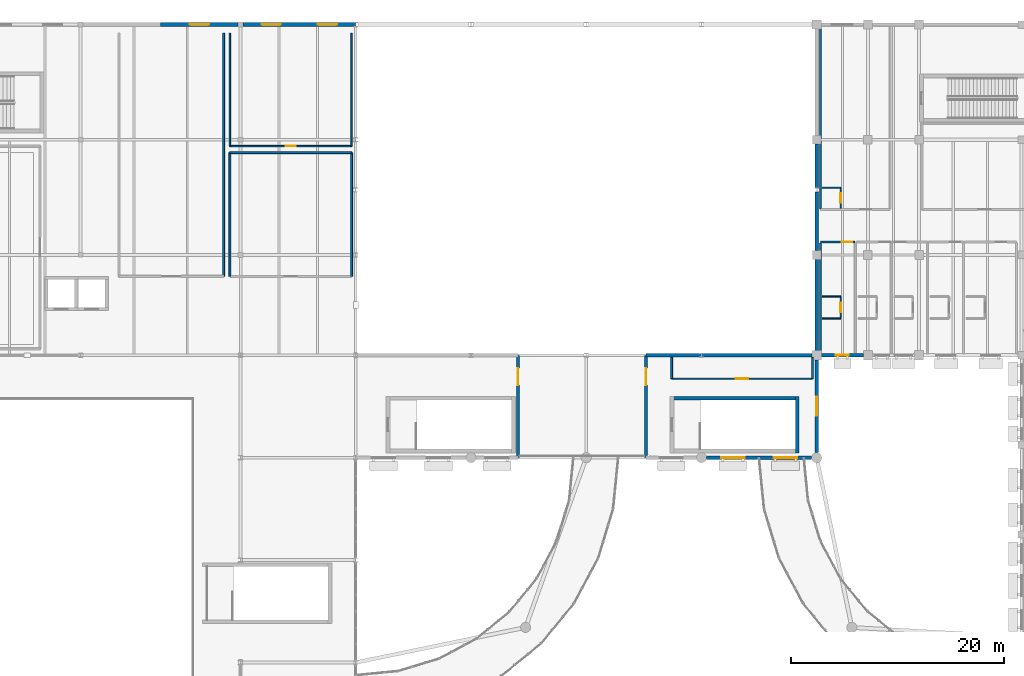
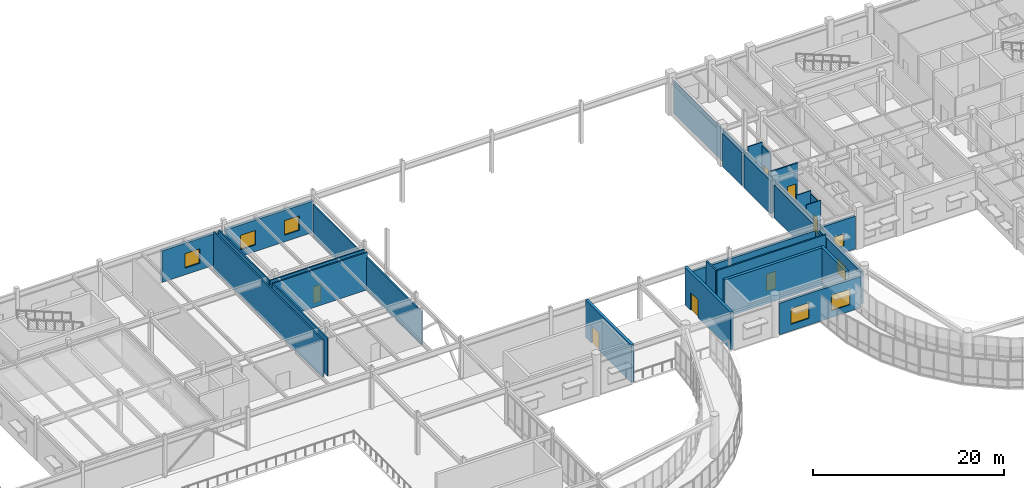
# One storey, part 45 of 68: 32 walls, 7 doors, 7 windows, 14 openings.
"""IFC4 building model written with IfcOpenShell, lengths in metres."""

from ifc_helpers import new_model, si_unit, direction, frame, frame_2d, origin, place, context, subcontext, project, spatial, rectangle, extrude, material, layer, layer_set, type_object, element, fill, save


model = new_model("IFC4")

# Units and contexts
model_context = context("Model", 3, precision=1e-05, world=origin(), true_north=direction((0.0, 1.0)))
body_context = subcontext(model_context, "Body", "Model", "MODEL_VIEW")
ifc_project = project(units=[si_unit("LENGTHUNIT", "METRE"), si_unit("AREAUNIT", "SQUARE_METRE"), si_unit("VOLUMEUNIT", "CUBIC_METRE"), si_unit("PLANEANGLEUNIT", "RADIAN"), si_unit("MASSUNIT", "GRAM", prefix="KILO")], contexts=[model_context])

# Site, building, storey
site_placement = place(None, origin())
site = spatial("IfcSite", under=ifc_project, at=site_placement, CompositionType="ELEMENT")
building_placement = place(site_placement, origin())
building = spatial("IfcBuilding", under=site, at=building_placement, Name="Veldera Park Congress Hotel", CompositionType="ELEMENT")
storey_placement = place(building_placement, frame((0.0, 0.0, 10.800048828125)))
storey = spatial("IfcBuildingStorey", under=building, at=storey_placement, Name="L02", CompositionType="ELEMENT", Elevation=10.800048828125)

# Wall, opening, door
ifc_material_1 = material(Name="Cross-laminated timber CLT V2M1.1", Category="wood")
ifc_layer_1 = layer(ifc_material_1, 0.320068359375)
ifc_layer_set_1 = layer_set([ifc_layer_1], Name="Cross-laminated timber CLT V2M1.1")
wall_type_1 = type_object("IfcWallType", Name="EW-CLT320", PredefinedType="STANDARD", material=ifc_layer_set_1)
wall_1_placement = place(storey_placement, frame((13.60009765625, 17.39990234375, 0.0), z_axis=(0.0, 0.0, 1.0), x_axis=(0.0, 1.0, 0.0)))
wall_1 = element("IfcWall", 1, at=wall_1_placement, inside=storey, type_object=wall_type_1, Name="L02 Exterior Wall EW3-L02-0086", PredefinedType="STANDARD", context=body_context, shape_type="SweptSolid", body=[
    extrude(rectangle(XDim=9.60009765625, YDim=0.320068359375, at=frame_2d((4.800048828125, 0.0))), origin(), (0.0, 0.0, 1.0), 4.800048828125),
])
opening_1_placement = place(wall_1_placement, frame((6.800048828125, 0.0, 0.0)))
opening_1 = element("IfcOpeningElement", 2, at=opening_1_placement, cuts=wall_1, Name="Opening ED-TER160", PredefinedType="OPENING", context=body_context, shape_type="SweptSolid", body=[
    extrude(rectangle(XDim=1.60009765625, YDim=2.25, at=frame_2d((0.800048828125, 1.125))), frame((0.0, 0.172119140625, 0.0), z_axis=(0.0, -1.0, 0.0), x_axis=(1.0, 0.0, 0.0)), (0.0, 0.0, 1.0), 0.343994140625),
])
ifc_material_2 = material(Name="Anodised Aluminium Alloy 6063-T6", Category="aluminium")
door_type_1 = type_object("IfcDoorType", Name="ED-TER160", OperationType="DOUBLE_DOOR_SINGLE_SWING", PredefinedType="DOOR", material=ifc_material_2)
door_1_placement = place(opening_1_placement, frame((1.60009765625, 0.0, 0.0), z_axis=(0.0, 0.0, 1.0), x_axis=(-1.0, 0.0, 0.0)))
door_1 = element("IfcDoor", 3, at=door_1_placement, inside=storey, type_object=door_type_1, Name="Exterior Door TD-L02-01 (DR3-EXT-L02-0016)", OperationType="DOUBLE_DOOR_SINGLE_SWING", OverallHeight=2.25, OverallWidth=1.60009765625, PredefinedType="DOOR", context=body_context, shape_type="SweptSolid", body=[
    extrude(rectangle(XDim=1.60009765625, YDim=2.25, at=frame_2d((0.800048828125, 1.125))), frame((0.0, 0.02490234375, 0.0), z_axis=(0.0, -1.0, 0.0), x_axis=(1.0, 0.0, 0.0)), (0.0, 0.0, 1.0), 0.050048828125),
])
fill(opening_1, door_1)

wall_2_placement = place(storey_placement, frame((25.60009765625, 27.0, 0.0), z_axis=(0.0, 0.0, 1.0), x_axis=(0.0, -1.0, 0.0)))
wall_2 = element("IfcWall", 4, at=wall_2_placement, inside=storey, type_object=wall_type_1, Name="L02 Exterior Wall EW3-L02-0087", PredefinedType="STANDARD", context=body_context, shape_type="SweptSolid", body=[
    extrude(rectangle(XDim=9.60009765625, YDim=0.320068359375, at=frame_2d((4.800048828125, 0.0))), origin(), (0.0, 0.0, 1.0), 4.800048828125),
])
opening_2_placement = place(wall_2_placement, frame((1.199951171875, 0.0, 0.0)))
opening_2 = element("IfcOpeningElement", 5, at=opening_2_placement, cuts=wall_2, Name="Opening ED-TER160", PredefinedType="OPENING", context=body_context, shape_type="SweptSolid", body=[
    extrude(rectangle(XDim=1.60009765625, YDim=2.25, at=frame_2d((0.800048828125, 1.125))), frame((0.0, 0.172119140625, 0.0), z_axis=(0.0, -1.0, 0.0), x_axis=(1.0, 0.0, 0.0)), (0.0, 0.0, 1.0), 0.343994140625),
])
door_2_placement = place(opening_2_placement, frame((1.60009765625, 0.0, 0.0), z_axis=(0.0, 0.0, 1.0), x_axis=(-1.0, 0.0, 0.0)))
door_2 = element("IfcDoor", 6, at=door_2_placement, inside=storey, type_object=door_type_1, Name="Exterior Door TD-L02-02 (DR3-EXT-L02-0017)", OperationType="DOUBLE_DOOR_SINGLE_SWING", OverallHeight=2.25, OverallWidth=1.60009765625, PredefinedType="DOOR", context=body_context, shape_type="SweptSolid", body=[
    extrude(rectangle(XDim=1.60009765625, YDim=2.25, at=frame_2d((0.800048828125, 1.125))), frame((0.0, 0.02490234375, 0.0), z_axis=(0.0, -1.0, 0.0), x_axis=(1.0, 0.0, 0.0)), (0.0, 0.0, 1.0), 0.050048828125),
])
fill(opening_2, door_2)

# Wall, openings, windows
wall_3_placement = place(storey_placement, frame((31.27294921875, 17.39990234375, 0.0), z_axis=(0.0, 0.0, 1.0), x_axis=(1.0, 0.0, 0.0)))
wall_3 = element("IfcWall", 7, at=wall_3_placement, inside=storey, type_object=wall_type_1, Name="L02 Exterior Wall EW3-L02-0089", PredefinedType="STANDARD", context=body_context, shape_type="SweptSolid", body=[
    extrude(rectangle(XDim=9.85400390625, YDim=0.320068359375, at=frame_2d((4.927001953125, 0.0))), origin(), (0.0, 0.0, 1.0), 4.015869140625),
])
opening_3_placement = place(wall_3_placement, frame((1.363525390625, 0.0, 0.85009765625)))
opening_3 = element("IfcOpeningElement", 8, at=opening_3_placement, cuts=wall_3, Name="Opening WIN-2200", PredefinedType="OPENING", context=body_context, shape_type="SweptSolid", body=[
    extrude(rectangle(XDim=2.199951171875, YDim=2.0, at=frame_2d((1.10009765625, 1.0))), frame((0.0, 0.172119140625, 0.0), z_axis=(0.0, -1.0, 0.0), x_axis=(1.0, 0.0, 0.0)), (0.0, 0.0, 1.0), 0.343994140625),
])
opening_4_placement = place(wall_3_placement, frame((6.29052734375, 0.0, 0.85009765625)))
opening_4 = element("IfcOpeningElement", 9, at=opening_4_placement, cuts=wall_3, Name="Opening WIN-2200", PredefinedType="OPENING", context=body_context, shape_type="SweptSolid", body=[
    extrude(rectangle(XDim=2.199951171875, YDim=2.0, at=frame_2d((1.10009765625, 1.0))), frame((0.0, 0.172119140625, 0.0), z_axis=(0.0, -1.0, 0.0), x_axis=(1.0, 0.0, 0.0)), (0.0, 0.0, 1.0), 0.343994140625),
])
ifc_material_3 = material(Name="Low-E Triple Insulating Glass Unit (SHGC 0.22)", Category="glass")
window_type_1 = type_object("IfcWindowType", Name="WIN-2200", PartitioningType="DOUBLE_PANEL_VERTICAL", PredefinedType="WINDOW", material=ifc_material_3)
window_1_placement = place(opening_3_placement, origin())
window_1 = element("IfcWindow", 10, at=window_1_placement, inside=storey, type_object=window_type_1, Name="L02 Window WIN-2200 111", OverallHeight=2.0, OverallWidth=2.199951171875, PartitioningType="DOUBLE_PANEL_VERTICAL", PredefinedType="WINDOW", context=body_context, shape_type="SweptSolid", body=[
    extrude(rectangle(XDim=2.199951171875, YDim=2.0, at=frame_2d((1.10009765625, 1.0))), frame((0.0, 0.030029296875, 0.0), z_axis=(0.0, -1.0, 0.0), x_axis=(1.0, 0.0, 0.0)), (0.0, 0.0, 1.0), 0.06005859375),
])
fill(opening_3, window_1)
window_2_placement = place(opening_4_placement, origin())
window_2 = element("IfcWindow", 11, at=window_2_placement, inside=storey, type_object=window_type_1, Name="L02 Window WIN-2200 112", OverallHeight=2.0, OverallWidth=2.199951171875, PartitioningType="DOUBLE_PANEL_VERTICAL", PredefinedType="WINDOW", context=body_context, shape_type="SweptSolid", body=[
    extrude(rectangle(XDim=2.199951171875, YDim=2.0, at=frame_2d((1.10009765625, 1.0))), frame((0.0, 0.030029296875, 0.0), z_axis=(0.0, -1.0, 0.0), x_axis=(1.0, 0.0, 0.0)), (0.0, 0.0, 1.0), 0.06005859375),
])
fill(opening_4, window_2)

# Wall, opening, window
wall_4_placement = place(storey_placement, frame((41.60009765625, 17.873046875, 0.0), z_axis=(0.0, 0.0, 1.0), x_axis=(0.0, 1.0, 0.0)))
wall_4 = element("IfcWall", 12, at=wall_4_placement, inside=storey, type_object=wall_type_1, Name="L02 Exterior Wall EW3-L02-0090", PredefinedType="STANDARD", context=body_context, shape_type="SweptSolid", body=[
    extrude(rectangle(XDim=8.703857421875, YDim=0.320068359375, at=frame_2d((4.35205078125, 0.0))), origin(), (0.0, 0.0, 1.0), 4.10205078125),
])
opening_5_placement = place(wall_4_placement, frame((3.451904296875, 0.0, 0.85009765625)))
opening_5 = element("IfcOpeningElement", 13, at=opening_5_placement, cuts=wall_4, Name="Opening WIN-1800", PredefinedType="OPENING", context=body_context, shape_type="SweptSolid", body=[
    extrude(rectangle(XDim=1.800048828125, YDim=1.85009765625, at=frame_2d((0.89990234375, 0.925048828125))), frame((0.0, 0.172119140625, 0.0), z_axis=(0.0, -1.0, 0.0), x_axis=(1.0, 0.0, 0.0)), (0.0, 0.0, 1.0), 0.343994140625),
])
window_type_2 = type_object("IfcWindowType", Name="WIN-1800", PartitioningType="SINGLE_PANEL", PredefinedType="WINDOW", material=ifc_material_3)
window_3_placement = place(opening_5_placement, origin())
window_3 = element("IfcWindow", 14, at=window_3_placement, inside=storey, type_object=window_type_2, Name="L02 Window WIN-1800 113", OverallHeight=1.85009765625, OverallWidth=1.800048828125, PartitioningType="SINGLE_PANEL", PredefinedType="WINDOW", context=body_context, shape_type="SweptSolid", body=[
    extrude(rectangle(XDim=1.800048828125, YDim=1.85009765625, at=frame_2d((0.89990234375, 0.925048828125))), frame((0.0, 0.030029296875, 0.0), z_axis=(0.0, -1.0, 0.0), x_axis=(1.0, 0.0, 0.0)), (0.0, 0.0, 1.0), 0.06005859375),
])
fill(opening_5, window_3)

# Walls
wall_5_placement = place(storey_placement, frame((41.177001953125, 27.0, 0.0), z_axis=(0.0, 0.0, 1.0), x_axis=(-1.0, 0.0, 0.0)))
element("IfcWall", 15, at=wall_5_placement, inside=storey, type_object=wall_type_1, Name="L02 Exterior Wall EW3-L02-0093", PredefinedType="STANDARD", context=body_context, shape_type="SweptSolid", body=[
    extrude(rectangle(XDim=10.368408203125, YDim=0.320068359375, at=frame_2d((5.18408203125, 0.0))), origin(), (0.0, 0.0, 1.0), 4.015869140625),
])
wall_6_placement = place(storey_placement, frame((30.79150390625, 27.0, 0.0), z_axis=(0.0, 0.0, 1.0), x_axis=(-1.0, 0.0, 0.0)))
element("IfcWall", 16, at=wall_6_placement, inside=storey, type_object=wall_type_1, Name="L02 Exterior Wall EW3-L02-0094", PredefinedType="STANDARD", context=body_context, shape_type="SweptSolid", body=[
    extrude(rectangle(XDim=5.19140625, YDim=0.320068359375, at=frame_2d((2.595703125, 0.0))), origin(), (0.0, 0.0, 1.0), 4.015869140625),
])
wall_7_placement = place(storey_placement, frame((41.60009765625, 46.802001953125, 0.0), z_axis=(0.0, 0.0, 1.0), x_axis=(0.0, -1.0, 0.0)))
element("IfcWall", 17, at=wall_7_placement, inside=storey, type_object=wall_type_1, Name="L02 Exterior Wall EW3-L02-0192", PredefinedType="STANDARD", context=body_context, shape_type="SweptSolid", body=[
    extrude(rectangle(XDim=4.117919921875, YDim=0.320068359375, at=frame_2d((2.05908203125, 0.0))), origin(), (0.0, 0.0, 1.0), 4.2509765625),
])
wall_8_placement = place(storey_placement, frame((41.60009765625, 42.31591796875, 0.0), z_axis=(0.0, 0.0, 1.0), x_axis=(0.0, -1.0, 0.0)))
element("IfcWall", 18, at=wall_8_placement, inside=storey, type_object=wall_type_1, Name="L02 Exterior Wall EW3-L02-0193", PredefinedType="STANDARD", context=body_context, shape_type="SweptSolid", body=[
    extrude(rectangle(XDim=5.517822265625, YDim=0.320068359375, at=frame_2d((2.7587890625, 0.0))), origin(), (0.0, 0.0, 1.0), 4.2509765625),
])
wall_9_placement = place(storey_placement, frame((41.60009765625, 36.001953125, 0.0), z_axis=(0.0, 0.0, 1.0), x_axis=(0.0, -1.0, 0.0)))
element("IfcWall", 19, at=wall_9_placement, inside=storey, type_object=wall_type_1, Name="L02 Exterior Wall EW3-L02-0194", PredefinedType="STANDARD", context=body_context, shape_type="SweptSolid", body=[
    extrude(rectangle(XDim=8.578857421875, YDim=0.320068359375, at=frame_2d((4.28955078125, 0.0))), origin(), (0.0, 0.0, 1.0), 4.177978515625),
])

# Wall, opening, window
wall_10_placement = place(storey_placement, frame((42.02294921875, 27.0, 0.0), z_axis=(0.0, 0.0, 1.0), x_axis=(1.0, 0.0, 0.0)))
wall_10 = element("IfcWall", 20, at=wall_10_placement, inside=storey, type_object=wall_type_1, Name="L02 Exterior Wall EW3-L02-0195", PredefinedType="STANDARD", context=body_context, shape_type="SweptSolid", body=[
    extrude(rectangle(XDim=3.9541015625, YDim=0.320068359375, at=frame_2d((1.97705078125, 0.0))), origin(), (0.0, 0.0, 1.0), 4.182861328125),
])
opening_6_placement = place(wall_10_placement, frame((1.376953125, 0.0, 0.85009765625)))
opening_6 = element("IfcOpeningElement", 21, at=opening_6_placement, cuts=wall_10, Name="Opening WIN-1200", PredefinedType="OPENING", context=body_context, shape_type="SweptSolid", body=[
    extrude(rectangle(XDim=1.199951171875, YDim=1.550048828125, at=frame_2d((0.60009765625, 0.77490234375))), frame((0.0, 0.172119140625, 0.0), z_axis=(0.0, -1.0, 0.0), x_axis=(1.0, 0.0, 0.0)), (0.0, 0.0, 1.0), 0.343994140625),
])
window_type_3 = type_object("IfcWindowType", Name="WIN-1200", PartitioningType="SINGLE_PANEL", PredefinedType="WINDOW", material=ifc_material_3)
window_4_placement = place(opening_6_placement, origin())
window_4 = element("IfcWindow", 22, at=window_4_placement, inside=storey, type_object=window_type_3, Name="L02 Window WIN-1200 184", OverallHeight=1.550048828125, OverallWidth=1.199951171875, PartitioningType="SINGLE_PANEL", PredefinedType="WINDOW", context=body_context, shape_type="SweptSolid", body=[
    extrude(rectangle(XDim=1.199951171875, YDim=1.550048828125, at=frame_2d((0.60009765625, 0.77490234375))), frame((0.0, 0.030029296875, 0.0), z_axis=(0.0, -1.0, 0.0), x_axis=(1.0, 0.0, 0.0)), (0.0, 0.0, 1.0), 0.06005859375),
])
fill(opening_6, window_4)

# Wall, openings, windows
ifc_material_4 = material(Name="Architectural Sandstone Cladding (ASTM C616)", Category="masonry")
ifc_layer_2 = layer(ifc_material_4, 0.360107421875)
ifc_layer_set_2 = layer_set([ifc_layer_2], Name="Architectural Sandstone Cladding (ASTM C616)")
wall_type_2 = type_object("IfcWallType", Name="EW-STONE360", PredefinedType="STANDARD", material=ifc_layer_set_2)
wall_11_placement = place(storey_placement, frame((-1.609375, 58.0, 0.0), z_axis=(0.0, 0.0, 1.0), x_axis=(-1.0, 0.0, 0.0)))
wall_11 = element("IfcWall", 23, at=wall_11_placement, inside=storey, type_object=wall_type_2, Name="L02 Exterior Wall EW3-L02-0079", PredefinedType="STANDARD", context=body_context, shape_type="SweptSolid", body=[
    extrude(rectangle(XDim=10.567626953125, YDim=0.360107421875, at=frame_2d((5.28369140625, 0.0))), origin(), (0.0, 0.0, 1.0), 4.015869140625),
])
opening_7_placement = place(wall_11_placement, frame((1.741943359375, 0.0, 0.85009765625)))
opening_7 = element("IfcOpeningElement", 24, at=opening_7_placement, cuts=wall_11, Name="Opening WIN-1800", PredefinedType="OPENING", context=body_context, shape_type="SweptSolid", body=[
    extrude(rectangle(XDim=1.800048828125, YDim=1.85009765625, at=frame_2d((0.89990234375, 0.925048828125))), frame((0.0, 0.192138671875, 0.0), z_axis=(0.0, -1.0, 0.0), x_axis=(1.0, 0.0, 0.0)), (0.0, 0.0, 1.0), 0.384033203125),
])
opening_8_placement = place(wall_11_placement, frame((7.02587890625, 0.0, 0.85009765625)))
opening_8 = element("IfcOpeningElement", 25, at=opening_8_placement, cuts=wall_11, Name="Opening WIN-1800", PredefinedType="OPENING", context=body_context, shape_type="SweptSolid", body=[
    extrude(rectangle(XDim=1.800048828125, YDim=1.85009765625, at=frame_2d((0.89990234375, 0.925048828125))), frame((0.0, 0.192138671875, 0.0), z_axis=(0.0, -1.0, 0.0), x_axis=(1.0, 0.0, 0.0)), (0.0, 0.0, 1.0), 0.384033203125),
])
window_5_placement = place(opening_7_placement, origin())
window_5 = element("IfcWindow", 26, at=window_5_placement, inside=storey, type_object=window_type_2, Name="L02 Window WIN-1800 100", OverallHeight=1.85009765625, OverallWidth=1.800048828125, PartitioningType="SINGLE_PANEL", PredefinedType="WINDOW", context=body_context, shape_type="SweptSolid", body=[
    extrude(rectangle(XDim=1.800048828125, YDim=1.85009765625, at=frame_2d((0.89990234375, 0.925048828125))), frame((0.0, 0.030029296875, 0.0), z_axis=(0.0, -1.0, 0.0), x_axis=(1.0, 0.0, 0.0)), (0.0, 0.0, 1.0), 0.06005859375),
])
fill(opening_7, window_5)
window_6_placement = place(opening_8_placement, origin())
window_6 = element("IfcWindow", 27, at=window_6_placement, inside=storey, type_object=window_type_2, Name="L02 Window WIN-1800 101", OverallHeight=1.85009765625, OverallWidth=1.800048828125, PartitioningType="SINGLE_PANEL", PredefinedType="WINDOW", context=body_context, shape_type="SweptSolid", body=[
    extrude(rectangle(XDim=1.800048828125, YDim=1.85009765625, at=frame_2d((0.89990234375, 0.925048828125))), frame((0.0, 0.030029296875, 0.0), z_axis=(0.0, -1.0, 0.0), x_axis=(1.0, 0.0, 0.0)), (0.0, 0.0, 1.0), 0.06005859375),
])
fill(opening_8, window_6)

# Wall, opening, window
wall_12_placement = place(storey_placement, frame((-12.623046875, 58.0, 0.0), z_axis=(0.0, 0.0, 1.0), x_axis=(-1.0, 0.0, 0.0)))
wall_12 = element("IfcWall", 28, at=wall_12_placement, inside=storey, type_object=wall_type_2, Name="L02 Exterior Wall EW3-L02-0080", PredefinedType="STANDARD", context=body_context, shape_type="SweptSolid", body=[
    extrude(rectangle(XDim=7.279052734375, YDim=0.360107421875, at=frame_2d((3.6396484375, 0.0))), origin(), (0.0, 0.0, 1.0), 4.015869140625),
])
opening_9_placement = place(wall_12_placement, frame((2.739501953125, 0.0, 0.85009765625)))
opening_9 = element("IfcOpeningElement", 29, at=opening_9_placement, cuts=wall_12, Name="Opening WIN-1800", PredefinedType="OPENING", context=body_context, shape_type="SweptSolid", body=[
    extrude(rectangle(XDim=1.800048828125, YDim=1.85009765625, at=frame_2d((0.89990234375, 0.925048828125))), frame((0.0, 0.192138671875, 0.0), z_axis=(0.0, -1.0, 0.0), x_axis=(1.0, 0.0, 0.0)), (0.0, 0.0, 1.0), 0.384033203125),
])
window_7_placement = place(opening_9_placement, origin())
window_7 = element("IfcWindow", 30, at=window_7_placement, inside=storey, type_object=window_type_2, Name="L02 Window WIN-1800 102", OverallHeight=1.85009765625, OverallWidth=1.800048828125, PartitioningType="SINGLE_PANEL", PredefinedType="WINDOW", context=body_context, shape_type="SweptSolid", body=[
    extrude(rectangle(XDim=1.800048828125, YDim=1.85009765625, at=frame_2d((0.89990234375, 0.925048828125))), frame((0.0, 0.030029296875, 0.0), z_axis=(0.0, -1.0, 0.0), x_axis=(1.0, 0.0, 0.0)), (0.0, 0.0, 1.0), 0.06005859375),
])
fill(opening_9, window_7)

# Wall
ifc_material_5 = material(Name="Fire-Rated Gypsum Board on Cold-Formed Steel Studs", Category="steel")
ifc_layer_3 = layer(ifc_material_5, 0.1201171875)
ifc_layer_set_3 = layer_set([ifc_layer_3], Name="Fire-Rated Gypsum Board on Cold-Formed Steel Studs")
wall_type_3 = type_object("IfcWallType", Name="IW-BATH120", PredefinedType="PARTITIONING", material=ifc_layer_set_3)
wall_13_placement = place(storey_placement, frame((42.10009765625, 32.5, 0.0), z_axis=(0.0, 0.0, 1.0), x_axis=(1.0, 0.0, 0.0)))
element("IfcWall", 31, at=wall_13_placement, inside=storey, type_object=wall_type_3, Name="L02 Partition Wall IW3-L02-00548", PredefinedType="PARTITIONING", context=body_context, shape_type="SweptSolid", body=[
    extrude(rectangle(XDim=1.75, YDim=0.1201171875, at=frame_2d((0.875, 0.0))), origin(), (0.0, 0.0, 1.0), 4.800048828125),
])

# Wall, opening, door
wall_14_placement = place(storey_placement, frame((43.85009765625, 30.449951171875, 0.0), z_axis=(0.0, 0.0, 1.0), x_axis=(0.0, 1.0, 0.0)))
wall_14 = element("IfcWall", 32, at=wall_14_placement, inside=storey, type_object=wall_type_3, Name="L02 Partition Wall IW3-L02-00549", PredefinedType="PARTITIONING", context=body_context, shape_type="SweptSolid", body=[
    extrude(rectangle(XDim=2.050048828125, YDim=0.1201171875, at=frame_2d((1.02490234375, 0.0))), origin(), (0.0, 0.0, 1.0), 4.385009765625),
])
opening_10_placement = place(wall_14_placement, frame((0.574951171875, 0.0, 0.0)))
opening_10 = element("IfcOpeningElement", 33, at=opening_10_placement, cuts=wall_14, Name="Opening ID-BATH090", PredefinedType="OPENING", context=body_context, shape_type="SweptSolid", body=[
    extrude(rectangle(XDim=0.89990234375, YDim=2.14990234375, at=frame_2d((0.449951171875, 1.074951171875))), frame((0.0, 0.072021484375, 0.0), z_axis=(0.0, -1.0, 0.0), x_axis=(1.0, 0.0, 0.0)), (0.0, 0.0, 1.0), 0.14404296875),
])
ifc_material_6 = material(Name="Solid Core White Oak Architectural Door", Category="wood")
door_type_2 = type_object("IfcDoorType", Name="ID-BATH090", OperationType="NOTDEFINED", PredefinedType="DOOR", material=ifc_material_6)
door_3_placement = place(opening_10_placement, origin())
door_3 = element("IfcDoor", 34, at=door_3_placement, inside=storey, type_object=door_type_2, Name="L02 En-suite 041 Door ID3-L02-0221 (DR3-ID3-L02-0221)", OperationType="SINGLE_SWING_LEFT", OverallHeight=2.14990234375, OverallWidth=0.89990234375, PredefinedType="DOOR", context=body_context, shape_type="SweptSolid", body=[
    extrude(rectangle(XDim=0.89990234375, YDim=2.14990234375, at=frame_2d((0.449951171875, 1.074951171875))), frame((0.0, 0.02490234375, 0.0), z_axis=(0.0, -1.0, 0.0), x_axis=(1.0, 0.0, 0.0)), (0.0, 0.0, 1.0), 0.050048828125),
])
fill(opening_10, door_3)

# Wall
wall_15_placement = place(storey_placement, frame((42.10009765625, 30.449951171875, 0.0), z_axis=(0.0, 0.0, 1.0), x_axis=(1.0, 0.0, 0.0)))
element("IfcWall", 35, at=wall_15_placement, inside=storey, type_object=wall_type_3, Name="L02 Partition Wall IW3-L02-00550", PredefinedType="PARTITIONING", context=body_context, shape_type="SweptSolid", body=[
    extrude(rectangle(XDim=1.75, YDim=0.1201171875, at=frame_2d((0.875, 0.0))), origin(), (0.0, 0.0, 1.0), 4.800048828125),
])

# Wall, opening, door
wall_16_placement = place(storey_placement, frame((43.85009765625, 40.800048828125, 0.0), z_axis=(0.0, 0.0, 1.0), x_axis=(0.0, 1.0, 0.0)))
wall_16 = element("IfcWall", 36, at=wall_16_placement, inside=storey, type_object=wall_type_3, Name="L02 Partition Wall IW3-L02-00585", PredefinedType="PARTITIONING", context=body_context, shape_type="SweptSolid", body=[
    extrude(rectangle(XDim=1.89990234375, YDim=0.1201171875, at=frame_2d((0.949951171875, 0.0))), origin(), (0.0, 0.0, 1.0), 4.3779296875),
])
opening_11_placement = place(wall_16_placement, frame((0.5, 0.0, 0.0)))
opening_11 = element("IfcOpeningElement", 37, at=opening_11_placement, cuts=wall_16, Name="Opening ID-BATH090", PredefinedType="OPENING", context=body_context, shape_type="SweptSolid", body=[
    extrude(rectangle(XDim=0.89990234375, YDim=2.14990234375, at=frame_2d((0.449951171875, 1.074951171875))), frame((0.0, 0.072021484375, 0.0), z_axis=(0.0, -1.0, 0.0), x_axis=(1.0, 0.0, 0.0)), (0.0, 0.0, 1.0), 0.14404296875),
])
door_4_placement = place(opening_11_placement, origin())
door_4 = element("IfcDoor", 38, at=door_4_placement, inside=storey, type_object=door_type_2, Name="L02 En-suite 048 Door ID3-L02-0235 (DR3-ID3-L02-0235)", OperationType="SINGLE_SWING_LEFT", OverallHeight=2.14990234375, OverallWidth=0.89990234375, PredefinedType="DOOR", context=body_context, shape_type="SweptSolid", body=[
    extrude(rectangle(XDim=0.89990234375, YDim=2.14990234375, at=frame_2d((0.449951171875, 1.074951171875))), frame((0.0, 0.02490234375, 0.0), z_axis=(0.0, -1.0, 0.0), x_axis=(1.0, 0.0, 0.0)), (0.0, 0.0, 1.0), 0.050048828125),
])
fill(opening_11, door_4)

# Walls
wall_17_placement = place(storey_placement, frame((42.10009765625, 42.699951171875, 0.0), z_axis=(0.0, 0.0, 1.0), x_axis=(1.0, 0.0, 0.0)))
element("IfcWall", 39, at=wall_17_placement, inside=storey, type_object=wall_type_3, Name="L02 Partition Wall IW3-L02-00586", PredefinedType="PARTITIONING", context=body_context, shape_type="SweptSolid", body=[
    extrude(rectangle(XDim=1.75, YDim=0.1201171875, at=frame_2d((0.875, 0.0))), origin(), (0.0, 0.0, 1.0), 4.800048828125),
])
ifc_layer_4 = layer(ifc_material_5, 0.179931640625)
ifc_layer_set_4 = layer_set([ifc_layer_4], Name="Fire-Rated Gypsum Board on Cold-Formed Steel Studs")
wall_type_4 = type_object("IfcWallType", Name="IW-CORR180", PredefinedType="PARTITIONING", material=ifc_layer_set_4)
wall_18_placement = place(storey_placement, frame((-14.0, 34.39990234375, 0.0), z_axis=(0.0, 0.0, 1.0), x_axis=(0.0, 1.0, 0.0)))
element("IfcWall", 40, at=wall_18_placement, inside=storey, type_object=wall_type_4, Name="L02 Partition Wall IW3-L02-00180", PredefinedType="PARTITIONING", context=body_context, shape_type="SweptSolid", body=[
    extrude(rectangle(XDim=22.800048828125, YDim=0.179931640625, at=frame_2d((11.39990234375, 0.0))), origin(), (0.0, 0.0, 1.0), 4.800048828125),
])
wall_19_placement = place(storey_placement, frame((-2.0, 34.39990234375, 0.0), z_axis=(0.0, 0.0, 1.0), x_axis=(0.0, 1.0, 0.0)))
element("IfcWall", 41, at=wall_19_placement, inside=storey, type_object=wall_type_4, Name="L02 Partition Wall IW3-L02-00183", PredefinedType="PARTITIONING", context=body_context, shape_type="SweptSolid", body=[
    extrude(rectangle(XDim=11.60009765625, YDim=0.179931640625, at=frame_2d((5.800048828125, 0.0))), origin(), (0.0, 0.0, 1.0), 4.177978515625),
])
wall_20_placement = place(storey_placement, frame((-2.0, 46.0, 0.0), z_axis=(0.0, 0.0, 1.0), x_axis=(-1.0, 0.0, 0.0)))
element("IfcWall", 42, at=wall_20_placement, inside=storey, type_object=wall_type_4, Name="L02 Partition Wall IW3-L02-00184", PredefinedType="PARTITIONING", context=body_context, shape_type="SweptSolid", body=[
    extrude(rectangle(XDim=11.39990234375, YDim=0.179931640625, at=frame_2d((5.699951171875, 0.0))), origin(), (0.0, 0.0, 1.0), 4.800048828125),
])
wall_21_placement = place(storey_placement, frame((-13.39990234375, 46.0, 0.0), z_axis=(0.0, 0.0, 1.0), x_axis=(0.0, -1.0, 0.0)))
element("IfcWall", 43, at=wall_21_placement, inside=storey, type_object=wall_type_4, Name="L02 Partition Wall IW3-L02-00185", PredefinedType="PARTITIONING", context=body_context, shape_type="SweptSolid", body=[
    extrude(rectangle(XDim=11.60009765625, YDim=0.179931640625, at=frame_2d((5.800048828125, 0.0))), origin(), (0.0, 0.0, 1.0), 4.800048828125),
])

# Wall, opening, door
wall_22_placement = place(storey_placement, frame((28.0, 24.800048828125, 0.0), z_axis=(0.0, 0.0, 1.0), x_axis=(1.0, 0.0, 0.0)))
wall_22 = element("IfcWall", 44, at=wall_22_placement, inside=storey, type_object=wall_type_4, Name="L02 Partition Wall IW3-L02-00189", PredefinedType="PARTITIONING", context=body_context, shape_type="SweptSolid", body=[
    extrude(rectangle(XDim=13.199951171875, YDim=0.179931640625, at=frame_2d((6.60009765625, 0.0))), origin(), (0.0, 0.0, 1.0), 4.800048828125),
])
opening_12_placement = place(wall_22_placement, frame((6.02490234375, 0.0, 0.0)))
opening_12 = element("IfcOpeningElement", 45, at=opening_12_placement, cuts=wall_22, Name="Opening ID-MEET115", PredefinedType="OPENING", context=body_context, shape_type="SweptSolid", body=[
    extrude(rectangle(XDim=1.14990234375, YDim=2.199951171875, at=frame_2d((0.574951171875, 1.10009765625))), frame((0.0, 0.10205078125, 0.0), z_axis=(0.0, -1.0, 0.0), x_axis=(1.0, 0.0, 0.0)), (0.0, 0.0, 1.0), 0.203857421875),
])
door_type_3 = type_object("IfcDoorType", Name="ID-MEET115", OperationType="NOTDEFINED", PredefinedType="DOOR", material=ifc_material_6)
door_5_placement = place(opening_12_placement, origin())
door_5 = element("IfcDoor", 46, at=door_5_placement, inside=storey, type_object=door_type_3, Name="L02 Botanical Terrace Garden Pavilion Lounge Door ID3-L02-0067 (DR3-ID3-L02-0067)", OperationType="SINGLE_SWING_LEFT", OverallHeight=2.199951171875, OverallWidth=1.14990234375, PredefinedType="DOOR", context=body_context, shape_type="SweptSolid", body=[
    extrude(rectangle(XDim=1.14990234375, YDim=2.199951171875, at=frame_2d((0.574951171875, 1.10009765625))), frame((0.0, 0.02490234375, 0.0), z_axis=(0.0, -1.0, 0.0), x_axis=(1.0, 0.0, 0.0)), (0.0, 0.0, 1.0), 0.050048828125),
])
fill(opening_12, door_5)

# Walls
wall_23_placement = place(storey_placement, frame((41.199951171875, 24.800048828125, 0.0), z_axis=(0.0, 0.0, 1.0), x_axis=(0.0, 1.0, 0.0)))
element("IfcWall", 47, at=wall_23_placement, inside=storey, type_object=wall_type_4, Name="L02 Partition Wall IW3-L02-00190", PredefinedType="PARTITIONING", context=body_context, shape_type="SweptSolid", body=[
    extrude(rectangle(XDim=2.0, YDim=0.179931640625, at=frame_2d((1.0, 0.0))), origin(), (0.0, 0.0, 1.0), 4.10205078125),
])
wall_24_placement = place(storey_placement, frame((28.0, 26.800048828125, 0.0), z_axis=(0.0, 0.0, 1.0), x_axis=(0.0, -1.0, 0.0)))
element("IfcWall", 48, at=wall_24_placement, inside=storey, type_object=wall_type_4, Name="L02 Partition Wall IW3-L02-00191", PredefinedType="PARTITIONING", context=body_context, shape_type="SweptSolid", body=[
    extrude(rectangle(XDim=2.0, YDim=0.179931640625, at=frame_2d((1.0, 0.0))), origin(), (0.0, 0.0, 1.0), 4.800048828125),
])

# Wall, opening, door
wall_25_placement = place(storey_placement, frame((45.2099609375, 37.60009765625, 0.0), z_axis=(0.0, 0.0, 1.0), x_axis=(-1.0, 0.0, 0.0)))
wall_25 = element("IfcWall", 49, at=wall_25_placement, inside=storey, type_object=wall_type_4, Name="L02 Corridor Wall IW3-L02-00545", PredefinedType="PARTITIONING", context=body_context, shape_type="SweptSolid", body=[
    extrude(rectangle(XDim=3.260009765625, YDim=0.179931640625, at=frame_2d((1.6298828125, 0.0))), origin(), (0.0, 0.0, 1.0), 4.800048828125),
])
opening_13_placement = place(wall_25_placement, frame((0.280029296875, 0.0, 0.0)))
opening_13 = element("IfcOpeningElement", 50, at=opening_13_placement, cuts=wall_25, Name="Opening ID-UNIT100", PredefinedType="OPENING", context=body_context, shape_type="SweptSolid", body=[
    extrude(rectangle(XDim=1.0, YDim=2.199951171875, at=frame_2d((0.5, 1.10009765625))), frame((0.0, 0.10205078125, 0.0), z_axis=(0.0, -1.0, 0.0), x_axis=(1.0, 0.0, 0.0)), (0.0, 0.0, 1.0), 0.203857421875),
])
door_type_4 = type_object("IfcDoorType", Name="ID-UNIT100", OperationType="NOTDEFINED", PredefinedType="DOOR", material=ifc_material_6)
door_6_placement = place(opening_13_placement, frame((1.0, 0.0, 0.0), z_axis=(0.0, 0.0, 1.0), x_axis=(-1.0, 0.0, 0.0)))
door_6 = element("IfcDoor", 51, at=door_6_placement, inside=storey, type_object=door_type_4, Name="L02 Guestroom 041 Entry Door (DR3-UD3-L02-041)", OperationType="SINGLE_SWING_RIGHT", OverallHeight=2.199951171875, OverallWidth=1.0, PredefinedType="DOOR", context=body_context, shape_type="SweptSolid", body=[
    extrude(rectangle(XDim=1.0, YDim=2.199951171875, at=frame_2d((0.5, 1.10009765625))), frame((0.0, 0.02490234375, 0.0), z_axis=(0.0, -1.0, 0.0), x_axis=(1.0, 0.0, 0.0)), (0.0, 0.0, 1.0), 0.050048828125),
])
fill(opening_13, door_6)

ifc_layer_5 = layer(ifc_material_5, 0.14990234375)
ifc_layer_set_5 = layer_set([ifc_layer_5], Name="Fire-Rated Gypsum Board on Cold-Formed Steel Studs")
wall_type_5 = type_object("IfcWallType", Name="IW-PLMB150", PredefinedType="PLUMBINGWALL", material=ifc_layer_set_5)
wall_26_placement = place(storey_placement, frame((-13.39990234375, 46.60009765625, 0.0), z_axis=(0.0, 0.0, 1.0), x_axis=(1.0, 0.0, 0.0)))
wall_26 = element("IfcWall", 52, at=wall_26_placement, inside=storey, type_object=wall_type_5, Name="L02 Partition Wall IW3-L02-00186", PredefinedType="PLUMBINGWALL", context=body_context, shape_type="SweptSolid", body=[
    extrude(rectangle(XDim=11.39990234375, YDim=0.14990234375, at=frame_2d((5.699951171875, 0.0))), origin(), (0.0, 0.0, 1.0), 4.800048828125),
])
opening_14_placement = place(wall_26_placement, frame((5.22509765625, 0.0, 0.0)))
opening_14 = element("IfcOpeningElement", 53, at=opening_14_placement, cuts=wall_26, Name="Opening ID-WC095", PredefinedType="OPENING", context=body_context, shape_type="SweptSolid", body=[
    extrude(rectangle(XDim=0.949951171875, YDim=2.14990234375, at=frame_2d((0.47509765625, 1.074951171875))), frame((0.0, 0.0869140625, 0.0), z_axis=(0.0, -1.0, 0.0), x_axis=(1.0, 0.0, 0.0)), (0.0, 0.0, 1.0), 0.173828125),
])
door_type_5 = type_object("IfcDoorType", Name="ID-WC095", OperationType="NOTDEFINED", PredefinedType="DOOR", material=ifc_material_6)
door_7_placement = place(opening_14_placement, origin())
door_7 = element("IfcDoor", 54, at=door_7_placement, inside=storey, type_object=door_type_5, Name="L02 Summit Male Female and Accessible WCs Door ID3-L02-0066 (DR3-ID3-L02-0066)", OperationType="SINGLE_SWING_RIGHT", OverallHeight=2.14990234375, OverallWidth=0.949951171875, PredefinedType="DOOR", context=body_context, shape_type="SweptSolid", body=[
    extrude(rectangle(XDim=0.949951171875, YDim=2.14990234375, at=frame_2d((0.47509765625, 1.074951171875))), frame((0.0, 0.02490234375, 0.0), z_axis=(0.0, -1.0, 0.0), x_axis=(1.0, 0.0, 0.0)), (0.0, 0.0, 1.0), 0.050048828125),
])
fill(opening_14, door_7)

# Walls
wall_27_placement = place(storey_placement, frame((-2.0, 46.60009765625, 0.0), z_axis=(0.0, 0.0, 1.0), x_axis=(0.0, 1.0, 0.0)))
element("IfcWall", 55, at=wall_27_placement, inside=storey, type_object=wall_type_5, Name="L02 Partition Wall IW3-L02-00187", PredefinedType="PLUMBINGWALL", context=body_context, shape_type="SweptSolid", body=[
    extrude(rectangle(XDim=10.599853515625, YDim=0.14990234375, at=frame_2d((5.2998046875, 0.0))), origin(), (0.0, 0.0, 1.0), 4.10205078125),
])
wall_28_placement = place(storey_placement, frame((-13.39990234375, 57.199951171875, 0.0), z_axis=(0.0, 0.0, 1.0), x_axis=(0.0, -1.0, 0.0)))
element("IfcWall", 56, at=wall_28_placement, inside=storey, type_object=wall_type_5, Name="L02 Partition Wall IW3-L02-00188", PredefinedType="PLUMBINGWALL", context=body_context, shape_type="SweptSolid", body=[
    extrude(rectangle(XDim=10.599853515625, YDim=0.14990234375, at=frame_2d((5.2998046875, 0.0))), origin(), (0.0, 0.0, 1.0), 4.800048828125),
])
ifc_layer_6 = layer(ifc_material_1, 0.159912109375)
ifc_layer_set_6 = layer_set([ifc_layer_6], Name="Cross-laminated timber CLT V2M1.1")
wall_type_6 = type_object("IfcWallType", Name="IW-UNIT160", PredefinedType="PARTITIONING", material=ifc_layer_set_6)
wall_29_placement = place(storey_placement, frame((41.949951171875, 27.159912109375, 0.0), z_axis=(0.0, 0.0, 1.0), x_axis=(0.0, 1.0, 0.0)))
element("IfcWall", 57, at=wall_29_placement, inside=storey, type_object=wall_type_6, Name="L02 Partition Wall IW3-L02-00546", PredefinedType="PARTITIONING", context=body_context, shape_type="SweptSolid", body=[
    extrude(rectangle(XDim=10.340087890625, YDim=0.159912109375, at=frame_2d((5.169921875, 0.0))), origin(), (0.0, 0.0, 1.0), 4.177978515625),
])
wall_30_placement = place(storey_placement, frame((41.949951171875, 40.75, 0.0), z_axis=(0.0, 0.0, 1.0), x_axis=(0.0, 1.0, 0.0)))
element("IfcWall", 58, at=wall_30_placement, inside=storey, type_object=wall_type_6, Name="L02 Partition Wall IW3-L02-00583", PredefinedType="PARTITIONING", context=body_context, shape_type="SweptSolid", body=[
    extrude(rectangle(XDim=17.090087890625, YDim=0.159912109375, at=frame_2d((8.544921875, 0.0))), origin(), (0.0, 0.0, 1.0), 4.10205078125),
])
ifc_material_7 = material(Name="Concrete f'c 40 MPa (5,800 psi)", Category="concrete")
ifc_layer_7 = layer(ifc_material_7, 0.35009765625)
ifc_layer_set_7 = layer_set([ifc_layer_7], Name="Concrete f'c 40 MPa (5,800 psi)")
wall_type_7 = type_object("IfcWallType", Name="SW-CORE350", PredefinedType="SHEAR", material=ifc_layer_set_7)
wall_31_placement = place(storey_placement, frame((39.77490234375, 17.85009765625, 0.0), z_axis=(0.0, 0.0, 1.0), x_axis=(0.0, 1.0, 0.0)))
element("IfcWall", 59, at=wall_31_placement, inside=storey, type_object=wall_type_7, Name="Stair ST7 Core Wall L02-E", PredefinedType="SHEAR", context=body_context, shape_type="SweptSolid", body=[
    extrude(rectangle(XDim=5.2998046875, YDim=0.35009765625, at=frame_2d((2.64990234375, 0.0))), origin(), (0.0, 0.0, 1.0), 4.800048828125),
])
wall_32_placement = place(storey_placement, frame((39.949951171875, 22.97509765625, 0.0), z_axis=(0.0, 0.0, 1.0), x_axis=(-1.0, 0.0, 0.0)))
element("IfcWall", 60, at=wall_32_placement, inside=storey, type_object=wall_type_7, Name="Stair ST7 Core Wall L02-N", PredefinedType="SHEAR", context=body_context, shape_type="SweptSolid", body=[
    extrude(rectangle(XDim=12.099853515625, YDim=0.35009765625, at=frame_2d((6.0498046875, 0.0))), origin(), (0.0, 0.0, 1.0), 4.800048828125),
])

save(model, "model.ifc")
